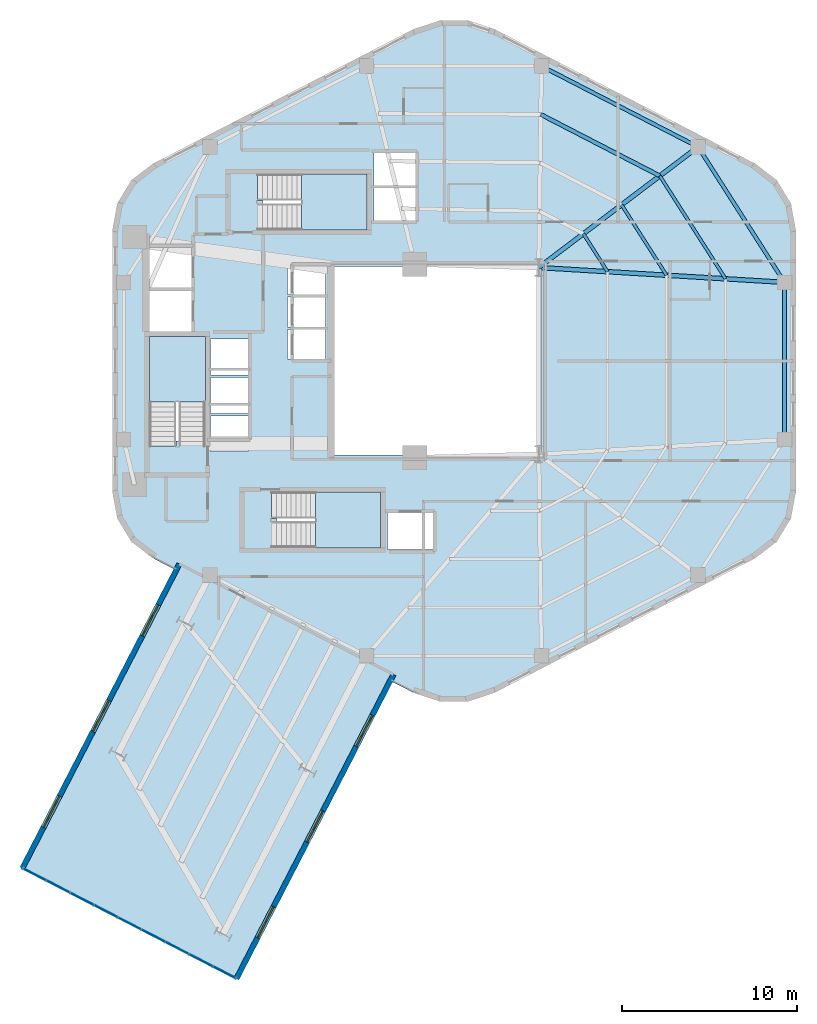
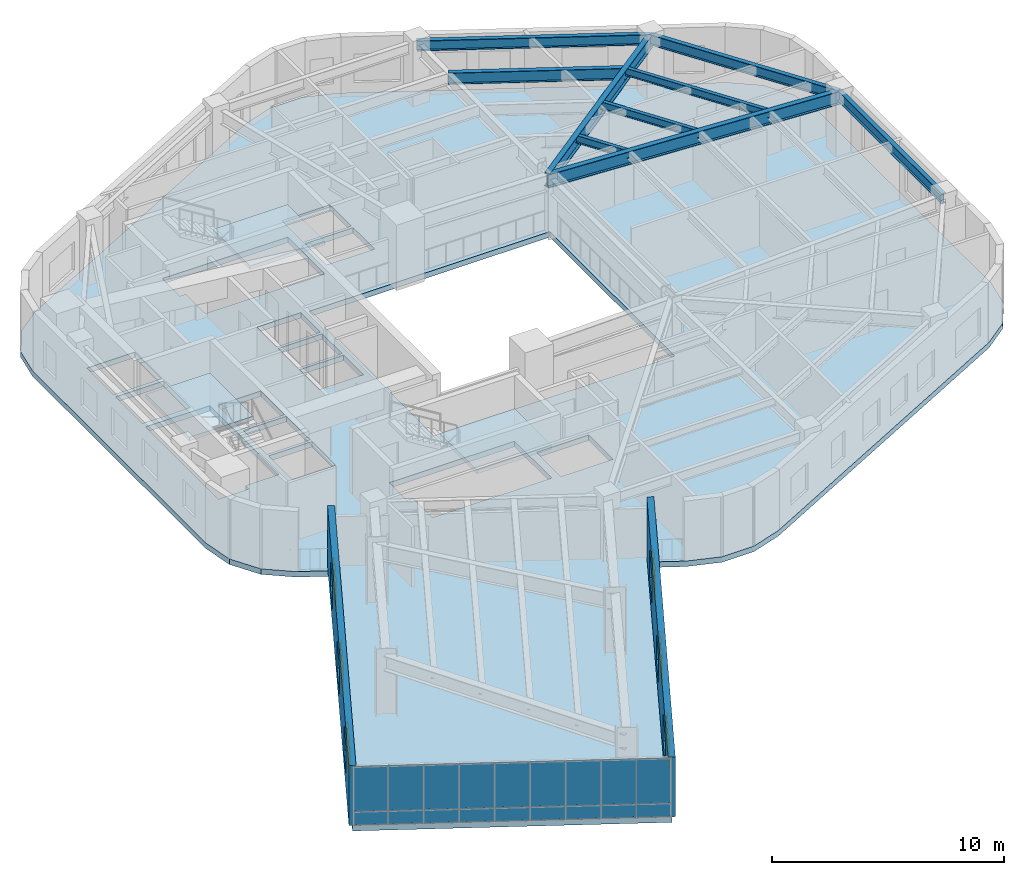
# One storey, part 4 of 9: 18 plates, 9 beams, 6 windows, 4 slabs, 2 walls, 6 openings, 4 elements without a shape of their own.
"""IFC4 building model written with IfcOpenShell, lengths in metres."""

from ifc_helpers import new_model, si_unit, direction, frame, frame_2d, origin, origin_2d, place, context, subcontext, project, spatial, polyline, rectangle, i_section, outline, extrude, material, layer, layer_set, material_profile, profile_set, type_object, element, fill, aggregate, save


model = new_model("IFC4")

# Units and contexts
model_context = context("Model", 3, precision=1e-05, world=origin(), true_north=direction((0.0, 1.0)))
body_context = subcontext(model_context, "Body", "Model", "MODEL_VIEW")
ifc_project = project(units=[si_unit("LENGTHUNIT", "METRE"), si_unit("AREAUNIT", "SQUARE_METRE"), si_unit("VOLUMEUNIT", "CUBIC_METRE"), si_unit("PLANEANGLEUNIT", "RADIAN"), si_unit("MASSUNIT", "GRAM", prefix="KILO"), si_unit("THERMODYNAMICTEMPERATUREUNIT", "KELVIN"), si_unit("POWERUNIT", "WATT")], contexts=[model_context])

# Site, building, storey
site_placement = place(None, origin())
site = spatial("IfcSite", under=ifc_project, at=site_placement, CompositionType="ELEMENT")
building_placement = place(site_placement, origin())
building = spatial("IfcBuilding", under=site, at=building_placement, Name="Skarre Station Tower", CompositionType="ELEMENT")
storey_placement = place(building_placement, frame((0.0, 0.0, 174.0)))
storey = spatial("IfcBuildingStorey", under=building, at=storey_placement, Name="L47", CompositionType="ELEMENT", Elevation=174.0)

# Beams
ifc_material_1 = material(Name="Steel ASTM A992 Grade 50", Category="steel")
ifc_material_profile_1 = material_profile(ifc_material_1, i_section(OverallWidth=0.256103515625, OverallDepth=0.693115234375, WebThickness=0.013916015625, FlangeThickness=0.02392578125, at=origin_2d()), Name="Steel ASTM A992 Grade 50")
ifc_profile_set_1 = profile_set([ifc_material_profile_1], Name="Steel ASTM A992 Grade 50")
beam_type_1 = type_object("IfcBeamType", Name="Steel Beam W27X114", PredefinedType="BEAM", material=ifc_profile_set_1)
beam_1_placement = place(storey_placement, frame((39.449951171875, 29.35009765625, 2.81396484375), z_axis=(0.797308988117, 0.603571352425, 0.0), x_axis=(-0.603571352425, 0.797308988117, 0.0)))
element("IfcBeam", 1, at=beam_1_placement, inside=storey, type_object=beam_type_1, Name="L47 Radial Floor Girder F0C1", PredefinedType="BEAM", context=body_context, shape_type="SweptSolid", body=[
    extrude(i_section(OverallWidth=0.256103515625, OverallDepth=0.693115234375, WebThickness=0.013916015625, FlangeThickness=0.02392578125, at=origin_2d()), origin(), (0.0, 0.0, 1.0), 11.443603515625),
])
beam_2_placement = place(storey_placement, frame((39.449951171875, 29.35009765625, 2.81396484375), z_axis=(0.998184432941, -0.060231535207, 0.0), x_axis=(0.060231535207, 0.998184432941, 0.0)))
element("IfcBeam", 2, at=beam_2_placement, inside=storey, type_object=beam_type_1, Name="L47 Radial Floor Girder F5C2", PredefinedType="BEAM", context=body_context, shape_type="SweptSolid", body=[
    extrude(i_section(OverallWidth=0.256103515625, OverallDepth=0.693115234375, WebThickness=0.013916015625, FlangeThickness=0.02392578125, at=origin_2d()), origin(), (0.0, 0.0, 1.0), 14.09765625),
])
ifc_material_profile_2 = material_profile(ifc_material_1, i_section(OverallWidth=0.177978515625, OverallDepth=0.403076171875, WebThickness=0.008056640625, FlangeThickness=0.010986328125, at=origin_2d()), Name="Steel ASTM A992 Grade 50")
ifc_profile_set_2 = profile_set([ifc_material_profile_2], Name="Steel ASTM A992 Grade 50")
beam_type_2 = type_object("IfcBeamType", Name="Steel Joist W16X36", PredefinedType="JOIST", material=ifc_profile_set_2)
beam_3_placement = place(storey_placement, frame((43.389892578125, 29.112060546875, 2.9580078125), z_axis=(-0.537678636248, 0.843149858639, 0.0), x_axis=(-0.843149858639, -0.537678636248, 0.0)))
element("IfcBeam", 3, at=beam_3_placement, inside=storey, type_object=beam_type_2, Name="L47 Auxiliary Composite Joist 22", PredefinedType="JOIST", context=body_context, shape_type="SweptSolid", body=[
    extrude(i_section(OverallWidth=0.177978515625, OverallDepth=0.403076171875, WebThickness=0.008056640625, FlangeThickness=0.010986328125, at=origin_2d()), origin(), (0.0, 0.0, 1.0), 2.575927734375),
])
beam_4_placement = place(storey_placement, frame((46.76708984375, 28.908935546875, 2.9580078125), z_axis=(-0.53785259263, 0.843038901001, 0.0), x_axis=(-0.843038901001, -0.53785259263, 0.0)))
element("IfcBeam", 4, at=beam_4_placement, inside=storey, type_object=beam_type_2, Name="L47 Auxiliary Composite Joist 23", PredefinedType="JOIST", context=body_context, shape_type="SweptSolid", body=[
    extrude(i_section(OverallWidth=0.177978515625, OverallDepth=0.403076171875, WebThickness=0.008056640625, FlangeThickness=0.010986328125, at=origin_2d()), origin(), (0.0, 0.0, 1.0), 4.783935546875),
])
beam_5_placement = place(storey_placement, frame((50.14501953125, 28.705078125, 2.9580078125), z_axis=(-0.537916675884, 0.842998012931, 0.0), x_axis=(-0.842998012931, -0.537916675884, 0.0)))
element("IfcBeam", 5, at=beam_5_placement, inside=storey, type_object=beam_type_2, Name="L47 Auxiliary Composite Joist 24", PredefinedType="JOIST", context=body_context, shape_type="SweptSolid", body=[
    extrude(i_section(OverallWidth=0.177978515625, OverallDepth=0.403076171875, WebThickness=0.008056640625, FlangeThickness=0.010986328125, at=origin_2d()), origin(), (0.0, 0.0, 1.0), 6.99169921875),
])
ifc_material_profile_3 = material_profile(ifc_material_1, i_section(OverallWidth=0.22802734375, OverallDepth=0.60791015625, WebThickness=0.010986328125, FlangeThickness=0.01708984375, at=origin_2d()), Name="Steel ASTM A992 Grade 50")
ifc_profile_set_3 = profile_set([ifc_material_profile_3], Name="Steel ASTM A992 Grade 50")
beam_type_3 = type_object("IfcBeamType", Name="Steel Joist W24X76", PredefinedType="JOIST", material=ifc_profile_set_3)
beam_6_placement = place(storey_placement, frame((46.384033203125, 34.59912109375, 2.85595703125), z_axis=(-0.888580913917, 0.458719913916, 0.0), x_axis=(-0.458719913916, -0.888580913917, 0.0)))
element("IfcBeam", 6, at=beam_6_placement, inside=storey, type_object=beam_type_3, Name="L47 Secondary Floor Joist 3", PredefinedType="JOIST", context=body_context, shape_type="SweptSolid", body=[
    extrude(i_section(OverallWidth=0.22802734375, OverallDepth=0.60791015625, WebThickness=0.010986328125, FlangeThickness=0.01708984375, at=origin_2d()), origin(), (0.0, 0.0, 1.0), 7.673095703125),
])
ifc_material_profile_4 = material_profile(ifc_material_1, i_section(OverallWidth=0.214111328125, OverallDepth=0.549072265625, WebThickness=0.014892578125, FlangeThickness=0.02392578125, at=origin_2d()), Name="Steel ASTM A992 Grade 50")
ifc_profile_set_4 = profile_set([ifc_material_profile_4], Name="Steel ASTM A992 Grade 50")
beam_type_4 = type_object("IfcBeamType", Name="Steel Spandrel W21X93", PredefinedType="SPANDREL", material=ifc_profile_set_4)
beam_7_placement = place(storey_placement, frame((48.573974609375, 36.257080078125, 2.885986328125), z_axis=(-0.888613027226, 0.458657702262, 0.0), x_axis=(-0.458657702262, -0.888613027226, 0.0)))
element("IfcBeam", 7, at=beam_7_placement, inside=storey, type_object=beam_type_4, Name="L47 Facet Spandrel Beam 1", PredefinedType="SPANDREL", context=body_context, shape_type="SweptSolid", body=[
    extrude(i_section(OverallWidth=0.214111328125, OverallDepth=0.549072265625, WebThickness=0.014892578125, FlangeThickness=0.02392578125, at=origin_2d()), origin(), (0.0, 0.0, 1.0), 10.096435546875),
])
beam_8_placement = place(storey_placement, frame((53.52197265625, 19.4990234375, 2.885986328125), z_axis=(0.0, 1.0, 0.0), x_axis=(-1.0, 0.0, 0.0)))
element("IfcBeam", 8, at=beam_8_placement, inside=storey, type_object=beam_type_4, Name="L47 Facet Spandrel Beam 11", PredefinedType="SPANDREL", context=body_context, shape_type="SweptSolid", body=[
    extrude(i_section(OverallWidth=0.214111328125, OverallDepth=0.549072265625, WebThickness=0.014892578125, FlangeThickness=0.02392578125, at=origin_2d()), origin(), (0.0, 0.0, 1.0), 9.001953125),
])
beam_9_placement = place(storey_placement, frame((53.52197265625, 28.5009765625, 2.885986328125), z_axis=(-0.537826426158, 0.843055594445, 0.0), x_axis=(-0.843055594445, -0.537826426158, 0.0)))
element("IfcBeam", 9, at=beam_9_placement, inside=storey, type_object=beam_type_4, Name="L47 Facet Spandrel Beam 12", PredefinedType="SPANDREL", context=body_context, shape_type="SweptSolid", body=[
    extrude(i_section(OverallWidth=0.214111328125, OverallDepth=0.549072265625, WebThickness=0.014892578125, FlangeThickness=0.02392578125, at=origin_2d()), origin(), (0.0, 0.0, 1.0), 9.199951171875),
])

# Curtain wall, plates
ifc_material_2 = material(Name="Thermally Broken Bronze-Anodized Aluminium & Triple Low-E Glass", Category="aluminium")
ifc_layer_1 = layer(ifc_material_2, 0.2099609375, Name="Thermally Broken Bronze-Anodized Aluminium & Triple Low-E Glass")
ifc_layer_set_1 = layer_set([ifc_layer_1], Name="Thermally Broken Bronze-Anodized Aluminium & Triple Low-E Glass")
curtain_wall_type = type_object("IfcCurtainWallType", Name="Sky-Bar Prow Structural Glazed Curtain Wall", PredefinedType="NOTDEFINED", material=ifc_layer_set_1)
curtain_wall_placement = place(storey_placement, origin())
curtain_wall = element("IfcCurtainWall", 10, at=curtain_wall_placement, inside=storey, type_object=curtain_wall_type, Name="L47 SB-4 Lakefront Prow Curtain Wall", PredefinedType="NOTDEFINED")
ifc_material_3 = material(Name="Insulated Bronze Anodized Aluminium Spandrel", Category="aluminium")
ifc_layer_2 = layer(ifc_material_3, 0.052001953125, Name="Insulated Bronze Anodized Aluminium Spandrel")
ifc_layer_set_2 = layer_set([ifc_layer_2], Name="Insulated Bronze Anodized Aluminium Spandrel")
plate_type_1 = type_object("IfcPlateType", Name="Bronze Insulated Spandrel Sheet Panel 52", PredefinedType="SHEET", material=ifc_layer_set_2)
plate_1_placement = place(storey_placement, frame((21.458984375, -11.02392578125, 0.052001953125), z_axis=(0.0, 0.0, 1.0), x_axis=(-0.888625237464, 0.458634045118, 0.0)))
plate_1 = element("IfcPlate", 11, at=plate_1_placement, type_object=plate_type_1, Name="L47 SB-4 Lakefront Prow Curtain Wall Spandrel Panel 1-1", PredefinedType="SHEET", context=body_context, shape_type="SweptSolid", body=[
    extrude(rectangle(XDim=1.509033203125, YDim=0.052001953125, at=origin_2d()), origin(), (0.0, 0.0, 1.0), 0.68603515625),
])
plate_2_placement = place(storey_placement, frame((20.095947265625, -10.321044921875, 0.052001953125), z_axis=(0.0, 0.0, 1.0), x_axis=(-0.888625237464, 0.458634045118, 0.0)))
plate_2 = element("IfcPlate", 12, at=plate_2_placement, type_object=plate_type_1, Name="L47 SB-4 Lakefront Prow Curtain Wall Spandrel Panel 2-1", PredefinedType="SHEET", context=body_context, shape_type="SweptSolid", body=[
    extrude(rectangle(XDim=1.509033203125, YDim=0.052001953125, at=origin_2d()), origin(), (0.0, 0.0, 1.0), 0.68603515625),
])
plate_3_placement = place(storey_placement, frame((18.73388671875, -9.617919921875, 0.052001953125), z_axis=(0.0, 0.0, 1.0), x_axis=(-0.888625237464, 0.458634045118, 0.0)))
plate_3 = element("IfcPlate", 13, at=plate_3_placement, type_object=plate_type_1, Name="L47 SB-4 Lakefront Prow Curtain Wall Spandrel Panel 3-1", PredefinedType="SHEET", context=body_context, shape_type="SweptSolid", body=[
    extrude(rectangle(XDim=1.509033203125, YDim=0.052001953125, at=origin_2d()), origin(), (0.0, 0.0, 1.0), 0.68603515625),
])
plate_4_placement = place(storey_placement, frame((17.37109375, -8.9150390625, 0.052001953125), z_axis=(0.0, 0.0, 1.0), x_axis=(-0.888625237464, 0.458634045118, 0.0)))
plate_4 = element("IfcPlate", 14, at=plate_4_placement, type_object=plate_type_1, Name="L47 SB-4 Lakefront Prow Curtain Wall Spandrel Panel 4-1", PredefinedType="SHEET", context=body_context, shape_type="SweptSolid", body=[
    extrude(rectangle(XDim=1.509033203125, YDim=0.052001953125, at=origin_2d()), origin(), (0.0, 0.0, 1.0), 0.68603515625),
])
plate_5_placement = place(storey_placement, frame((16.009033203125, -8.2119140625, 0.052001953125), z_axis=(0.0, 0.0, 1.0), x_axis=(-0.888625237464, 0.458634045118, 0.0)))
plate_5 = element("IfcPlate", 15, at=plate_5_placement, type_object=plate_type_1, Name="L47 SB-4 Lakefront Prow Curtain Wall Spandrel Panel 5-1", PredefinedType="SHEET", context=body_context, shape_type="SweptSolid", body=[
    extrude(rectangle(XDim=1.509033203125, YDim=0.052001953125, at=origin_2d()), origin(), (0.0, 0.0, 1.0), 0.68603515625),
])
plate_6_placement = place(storey_placement, frame((14.64599609375, -7.508056640625, 0.052001953125), z_axis=(0.0, 0.0, 1.0), x_axis=(-0.888625237464, 0.458634045118, 0.0)))
plate_6 = element("IfcPlate", 16, at=plate_6_placement, type_object=plate_type_1, Name="L47 SB-4 Lakefront Prow Curtain Wall Spandrel Panel 6-1", PredefinedType="SHEET", context=body_context, shape_type="SweptSolid", body=[
    extrude(rectangle(XDim=1.509033203125, YDim=0.052001953125, at=origin_2d()), origin(), (0.0, 0.0, 1.0), 0.68603515625),
])
plate_7_placement = place(storey_placement, frame((13.282958984375, -6.804931640625, 0.052001953125), z_axis=(0.0, 0.0, 1.0), x_axis=(-0.888625237464, 0.458634045118, 0.0)))
plate_7 = element("IfcPlate", 17, at=plate_7_placement, type_object=plate_type_1, Name="L47 SB-4 Lakefront Prow Curtain Wall Spandrel Panel 7-1", PredefinedType="SHEET", context=body_context, shape_type="SweptSolid", body=[
    extrude(rectangle(XDim=1.509033203125, YDim=0.052001953125, at=origin_2d()), origin(), (0.0, 0.0, 1.0), 0.68603515625),
])
plate_8_placement = place(storey_placement, frame((11.9208984375, -6.10205078125, 0.052001953125), z_axis=(0.0, 0.0, 1.0), x_axis=(-0.888625237464, 0.458634045118, 0.0)))
plate_8 = element("IfcPlate", 18, at=plate_8_placement, type_object=plate_type_1, Name="L47 SB-4 Lakefront Prow Curtain Wall Spandrel Panel 8-1", PredefinedType="SHEET", context=body_context, shape_type="SweptSolid", body=[
    extrude(rectangle(XDim=1.509033203125, YDim=0.052001953125, at=origin_2d()), origin(), (0.0, 0.0, 1.0), 0.68603515625),
])
plate_9_placement = place(storey_placement, frame((10.55810546875, -5.39892578125, 0.052001953125), z_axis=(0.0, 0.0, 1.0), x_axis=(-0.888625237464, 0.458634045118, 0.0)))
plate_9 = element("IfcPlate", 19, at=plate_9_placement, type_object=plate_type_1, Name="L47 SB-4 Lakefront Prow Curtain Wall Spandrel Panel 9-1", PredefinedType="SHEET", context=body_context, shape_type="SweptSolid", body=[
    extrude(rectangle(XDim=1.509033203125, YDim=0.052001953125, at=origin_2d()), origin(), (0.0, 0.0, 1.0), 0.68603515625),
])

# Stair, slab
ifc_material_4 = material(Name="Concrete C40/50", Category="concrete")
stair_type_1 = type_object("IfcStairType", Name="Reinforced Concrete Exit Stair ST-1", PredefinedType="HALF_TURN_STAIR", material=ifc_material_4)
stair_1_placement = place(storey_placement, origin())
stair_1 = element("IfcStair", 20, at=stair_1_placement, inside=storey, type_object=stair_type_1, Name="L47 Core Exit Stair ST-1", PredefinedType="HALF_TURN_STAIR")
ifc_layer_3 = layer(ifc_material_4, 0.219970703125, Name="Concrete C40/50")
ifc_layer_set_3 = layer_set([ifc_layer_3], Name="Concrete C40/50")
slab_type_1 = type_object("IfcSlabType", Name="Reinforced Concrete Stair & Ramp Landing 220", PredefinedType="LANDING", material=ifc_layer_set_3)
slab_1_placement = place(storey_placement, frame((0.0, 0.0, 1.52490234375)))
slab_1 = element("IfcSlab", 21, at=slab_1_placement, type_object=slab_type_1, Name="ST-1 landing 1", PredefinedType="LANDING", context=body_context, shape_type="SweptSolid", body=[
    extrude(outline(polyline([(20.35009765625, 21.639892578125), (20.35009765625, 25.39990234375), (17.14990234375, 25.39990234375), (17.14990234375, 21.639892578125), (20.35009765625, 21.639892578125)])), origin(), (0.0, 0.0, 1.0), 0.2001953125),
])
aggregate(stair_1, [slab_1])

stair_type_2 = type_object("IfcStairType", Name="Reinforced Concrete Exit Stair ST-2", PredefinedType="HALF_TURN_STAIR", material=ifc_material_4)
stair_2_placement = place(storey_placement, origin())
stair_2 = element("IfcStair", 22, at=stair_2_placement, inside=storey, type_object=stair_type_2, Name="L47 Core Exit Stair ST-2", PredefinedType="HALF_TURN_STAIR")
slab_2_placement = place(storey_placement, frame((0.0, 0.0, 1.52490234375)))
slab_2 = element("IfcSlab", 23, at=slab_2_placement, type_object=slab_type_1, Name="ST-2 landing 1", PredefinedType="LANDING", context=body_context, shape_type="SweptSolid", body=[
    extrude(outline(polyline([(26.669921875, 13.300048828125), (30.39990234375, 13.300048828125), (30.39990234375, 16.5), (26.669921875, 16.5), (26.669921875, 13.300048828125)])), origin(), (0.0, 0.0, 1.0), 0.2001953125),
])
aggregate(stair_2, [slab_2])

stair_type_3 = type_object("IfcStairType", Name="Reinforced Concrete Exit Stair ST-3", PredefinedType="HALF_TURN_STAIR", material=ifc_material_4)
stair_3_placement = place(storey_placement, origin())
stair_3 = element("IfcStair", 24, at=stair_3_placement, inside=storey, type_object=stair_type_3, Name="L47 Core Exit Stair ST-3", PredefinedType="HALF_TURN_STAIR")
slab_3_placement = place(storey_placement, frame((0.0, 0.0, 1.52490234375)))
slab_3 = element("IfcSlab", 25, at=slab_3_placement, type_object=slab_type_1, Name="ST-3 landing 1", PredefinedType="LANDING", context=body_context, shape_type="SweptSolid", body=[
    extrude(outline(polyline([(25.8701171875, 31.5), (29.60009765625, 31.5), (29.60009765625, 34.699951171875), (25.8701171875, 34.699951171875), (25.8701171875, 31.5)])), origin(), (0.0, 0.0, 1.0), 0.2001953125),
])
aggregate(stair_3, [slab_3])

# Slab
ifc_material_5 = material(Name="Concrete C50/60", Category="concrete")
ifc_layer_4 = layer(ifc_material_5, 0.2900390625, Name="Concrete C50/60")
ifc_layer_set_4 = layer_set([ifc_layer_4], Name="Concrete C50/60")
slab_type_2 = type_object("IfcSlabType", Name="Sky-Bar Composite Floor Slab 290", PredefinedType="FLOOR", material=ifc_layer_set_4)
slab_4_placement = place(storey_placement, frame((0.0, 0.0, -0.2900390625)))
element("IfcSlab", 26, at=slab_4_placement, inside=storey, type_object=slab_type_2, Name="L47 Tower and SB-4 Floor Slab", PredefinedType="FLOOR", context=body_context, shape_type="SweptSolid", body=[
    extrude(outline(polyline([(30.945068359375, 5.68505859375), (32.291015625, 4.990966796875), (33.803955078125, 4.493896484375), (35.39599609375, 4.493896484375), (36.908935546875, 4.990966796875), (51.863037109375, 12.708984375), (53.0869140625, 13.655029296875), (53.89208984375, 14.97705078125), (54.172119140625, 16.498046875), (54.172119140625, 31.501953125), (53.89208984375, 33.02294921875), (53.0869140625, 34.344970703125), (51.863037109375, 35.291015625), (36.908935546875, 43.009033203125), (35.39599609375, 43.506103515625), (33.803955078125, 43.506103515625), (32.291015625, 43.009033203125), (17.3369140625, 35.291015625), (16.113037109375, 34.344970703125), (15.30810546875, 33.02294921875), (15.028076171875, 31.501953125), (15.028076171875, 16.498046875), (15.30810546875, 14.97705078125), (16.113037109375, 13.655029296875), (17.3369140625, 12.708984375), (18.68310546875, 12.014892578125), (9.876953125, -5.047119140625), (22.139892578125, -11.3759765625), (30.945068359375, 5.68505859375)]), holes=[polyline([(18.669921875, 19.419921875), (18.669921875, 19.123046875), (17.14990234375, 19.123046875), (17.14990234375, 25.39990234375), (20.35009765625, 25.39990234375), (20.35009765625, 19.419921875), (18.669921875, 19.419921875)]), polyline([(24.449951171875, 14.97998046875), (24.153076171875, 14.97998046875), (24.153076171875, 16.5), (30.39990234375, 16.5), (30.39990234375, 13.300048828125), (24.449951171875, 13.300048828125), (24.449951171875, 14.97998046875)]), polyline([(23.64990234375, 33.179931640625), (23.35302734375, 33.179931640625), (23.35302734375, 34.699951171875), (29.60009765625, 34.699951171875), (29.60009765625, 31.5), (23.64990234375, 31.5), (23.64990234375, 33.179931640625)]), polyline([(17.14990234375, 28.0), (19.550048828125, 28.0), (19.550048828125, 25.699951171875), (17.14990234375, 25.699951171875), (17.14990234375, 28.0)]), polyline([(17.14990234375, 30.5), (19.550048828125, 30.5), (19.550048828125, 28.199951171875), (17.14990234375, 28.199951171875), (17.14990234375, 30.5)]), polyline([(30.800048828125, 15.300048828125), (33.39990234375, 15.300048828125), (33.39990234375, 13.199951171875), (30.800048828125, 13.199951171875), (30.800048828125, 15.300048828125)]), polyline([(25.050048828125, 25.800048828125), (27.25, 25.800048828125), (27.25, 24.10009765625), (25.050048828125, 24.10009765625), (25.050048828125, 25.800048828125)]), polyline([(25.050048828125, 27.64990234375), (27.25, 27.64990234375), (27.25, 25.949951171875), (25.050048828125, 25.949951171875), (25.050048828125, 27.64990234375)]), polyline([(25.050048828125, 29.5), (27.25, 29.5), (27.25, 27.800048828125), (25.050048828125, 27.800048828125), (25.050048828125, 29.5)]), polyline([(20.64990234375, 20.85009765625), (22.800048828125, 20.85009765625), (22.800048828125, 18.800048828125), (20.64990234375, 18.800048828125), (20.64990234375, 20.85009765625)]), polyline([(20.64990234375, 23.050048828125), (22.800048828125, 23.050048828125), (22.800048828125, 21.0), (20.64990234375, 21.0), (20.64990234375, 23.050048828125)]), polyline([(20.64990234375, 25.25), (22.800048828125, 25.25), (22.800048828125, 23.199951171875), (20.64990234375, 23.199951171875), (20.64990234375, 25.25)]), polyline([(30.0, 33.89990234375), (32.39990234375, 33.89990234375), (32.39990234375, 32.050048828125), (30.0, 32.050048828125), (30.0, 33.89990234375)]), polyline([(30.0, 35.89990234375), (32.39990234375, 35.89990234375), (32.39990234375, 34.050048828125), (30.0, 34.050048828125), (30.0, 35.89990234375)]), polyline([(27.60009765625, 29.39990234375), (39.60009765625, 29.39990234375), (39.60009765625, 18.60009765625), (27.60009765625, 18.60009765625), (27.60009765625, 29.39990234375)])]), origin(), (0.0, 0.0, 1.0), 0.2900390625),
])

# Plate
ifc_material_6 = material(Name="Low-Iron Triple Insulating Glass Unit", Category="glass")
ifc_layer_5 = layer(ifc_material_6, 0.0439453125, Name="Low-Iron Triple Insulating Glass Unit")
ifc_layer_set_5 = layer_set([ifc_layer_5], Name="Low-Iron Triple Insulating Glass Unit")
plate_type_2 = type_object("IfcPlateType", Name="Triple-Glazed Vision Curtain Panel 44", PredefinedType="CURTAIN_PANEL", material=ifc_layer_set_5)
plate_10_placement = place(storey_placement, frame((21.458984375, -11.02392578125, 0.76220703125), z_axis=(0.0, 0.0, 1.0), x_axis=(-0.888625237464, 0.458634045118, 0.0)))
plate_10 = element("IfcPlate", 27, at=plate_10_placement, type_object=plate_type_2, Name="L47 SB-4 Lakefront Prow Curtain Wall Vision Panel 1-2", PredefinedType="CURTAIN_PANEL", context=body_context, shape_type="SweptSolid", body=[
    extrude(rectangle(XDim=1.509033203125, YDim=0.0439453125, at=origin_2d()), origin(), (0.0, 0.0, 1.0), 2.345947265625),
])

plate_11_placement = place(storey_placement, frame((20.095947265625, -10.321044921875, 0.76220703125), z_axis=(0.0, 0.0, 1.0), x_axis=(-0.888625237464, 0.458634045118, 0.0)))
plate_11 = element("IfcPlate", 28, at=plate_11_placement, type_object=plate_type_2, Name="L47 SB-4 Lakefront Prow Curtain Wall Vision Panel 2-2", PredefinedType="CURTAIN_PANEL", context=body_context, shape_type="SweptSolid", body=[
    extrude(rectangle(XDim=1.509033203125, YDim=0.0439453125, at=origin_2d()), origin(), (0.0, 0.0, 1.0), 2.345947265625),
])

plate_12_placement = place(storey_placement, frame((18.73388671875, -9.617919921875, 0.76220703125), z_axis=(0.0, 0.0, 1.0), x_axis=(-0.888625237464, 0.458634045118, 0.0)))
plate_12 = element("IfcPlate", 29, at=plate_12_placement, type_object=plate_type_2, Name="L47 SB-4 Lakefront Prow Curtain Wall Vision Panel 3-2", PredefinedType="CURTAIN_PANEL", context=body_context, shape_type="SweptSolid", body=[
    extrude(rectangle(XDim=1.509033203125, YDim=0.0439453125, at=origin_2d()), origin(), (0.0, 0.0, 1.0), 2.345947265625),
])

plate_13_placement = place(storey_placement, frame((17.37109375, -8.9150390625, 0.76220703125), z_axis=(0.0, 0.0, 1.0), x_axis=(-0.888625237464, 0.458634045118, 0.0)))
plate_13 = element("IfcPlate", 30, at=plate_13_placement, type_object=plate_type_2, Name="L47 SB-4 Lakefront Prow Curtain Wall Vision Panel 4-2", PredefinedType="CURTAIN_PANEL", context=body_context, shape_type="SweptSolid", body=[
    extrude(rectangle(XDim=1.509033203125, YDim=0.0439453125, at=origin_2d()), origin(), (0.0, 0.0, 1.0), 2.345947265625),
])

plate_14_placement = place(storey_placement, frame((16.009033203125, -8.2119140625, 0.76220703125), z_axis=(0.0, 0.0, 1.0), x_axis=(-0.888625237464, 0.458634045118, 0.0)))
plate_14 = element("IfcPlate", 31, at=plate_14_placement, type_object=plate_type_2, Name="L47 SB-4 Lakefront Prow Curtain Wall Vision Panel 5-2", PredefinedType="CURTAIN_PANEL", context=body_context, shape_type="SweptSolid", body=[
    extrude(rectangle(XDim=1.509033203125, YDim=0.0439453125, at=origin_2d()), origin(), (0.0, 0.0, 1.0), 2.345947265625),
])

plate_15_placement = place(storey_placement, frame((14.64599609375, -7.508056640625, 0.76220703125), z_axis=(0.0, 0.0, 1.0), x_axis=(-0.888625237464, 0.458634045118, 0.0)))
plate_15 = element("IfcPlate", 32, at=plate_15_placement, type_object=plate_type_2, Name="L47 SB-4 Lakefront Prow Curtain Wall Vision Panel 6-2", PredefinedType="CURTAIN_PANEL", context=body_context, shape_type="SweptSolid", body=[
    extrude(rectangle(XDim=1.509033203125, YDim=0.0439453125, at=origin_2d()), origin(), (0.0, 0.0, 1.0), 2.345947265625),
])

plate_16_placement = place(storey_placement, frame((13.282958984375, -6.804931640625, 0.76220703125), z_axis=(0.0, 0.0, 1.0), x_axis=(-0.888625237464, 0.458634045118, 0.0)))
plate_16 = element("IfcPlate", 33, at=plate_16_placement, type_object=plate_type_2, Name="L47 SB-4 Lakefront Prow Curtain Wall Vision Panel 7-2", PredefinedType="CURTAIN_PANEL", context=body_context, shape_type="SweptSolid", body=[
    extrude(rectangle(XDim=1.509033203125, YDim=0.0439453125, at=origin_2d()), origin(), (0.0, 0.0, 1.0), 2.345947265625),
])

plate_17_placement = place(storey_placement, frame((11.9208984375, -6.10205078125, 0.76220703125), z_axis=(0.0, 0.0, 1.0), x_axis=(-0.888625237464, 0.458634045118, 0.0)))
plate_17 = element("IfcPlate", 34, at=plate_17_placement, type_object=plate_type_2, Name="L47 SB-4 Lakefront Prow Curtain Wall Vision Panel 8-2", PredefinedType="CURTAIN_PANEL", context=body_context, shape_type="SweptSolid", body=[
    extrude(rectangle(XDim=1.509033203125, YDim=0.0439453125, at=origin_2d()), origin(), (0.0, 0.0, 1.0), 2.345947265625),
])

plate_18_placement = place(storey_placement, frame((10.55810546875, -5.39892578125, 0.76220703125), z_axis=(0.0, 0.0, 1.0), x_axis=(-0.888625237464, 0.458634045118, 0.0)))
plate_18 = element("IfcPlate", 35, at=plate_18_placement, type_object=plate_type_2, Name="L47 SB-4 Lakefront Prow Curtain Wall Vision Panel 9-2", PredefinedType="CURTAIN_PANEL", context=body_context, shape_type="SweptSolid", body=[
    extrude(rectangle(XDim=1.509033203125, YDim=0.0439453125, at=origin_2d()), origin(), (0.0, 0.0, 1.0), 2.345947265625),
])

aggregate(curtain_wall, [plate_1, plate_10, plate_2, plate_11, plate_3, plate_12, plate_4, plate_13, plate_5, plate_14, plate_6, plate_15, plate_7, plate_16, plate_8, plate_17, plate_9, plate_18])

# Wall, openings, windows
ifc_material_7 = material(Name="Precast concrete C45/55", Category="concrete")
ifc_layer_6 = layer(ifc_material_7, 0.31005859375, Name="Precast concrete C45/55")
ifc_layer_set_6 = layer_set([ifc_layer_6], Name="Precast concrete C45/55")
wall_type = type_object("IfcWallType", Name="Nordic Upper-Zone Precast Facet Wall 310", PredefinedType="STANDARD", material=ifc_layer_set_6)
wall_1_placement = place(storey_placement, frame((9.876953125, -5.047119140625, 0.0), z_axis=(0.0, 0.0, 1.0), x_axis=(0.458621661341, 0.888631628825, 0.0)))
wall_1 = element("IfcWall", 36, at=wall_1_placement, inside=storey, type_object=wall_type, Name="L47 SB-4 Side 1 Precast Wall", PredefinedType="STANDARD", context=body_context, shape_type="SweptSolid", body=[
    extrude(rectangle(XDim=19.60009765625, YDim=0.31005859375, at=frame_2d((9.800048828125, 0.0))), origin(), (0.0, 0.0, 1.0), 3.159912109375),
])
opening_1_placement = place(wall_1_placement, frame((2.633056640625, 0.0, 0.75)))
opening_1 = element("IfcOpeningElement", 37, at=opening_1_placement, cuts=wall_1, Name="Opening WN-Z3A", PredefinedType="OPENING", context=body_context, shape_type="SweptSolid", body=[
    extrude(rectangle(XDim=2.0, YDim=1.5, at=frame_2d((1.0, 0.75))), frame((0.0, 0.1650390625, 0.0), z_axis=(0.0, -1.0, 0.0), x_axis=(1.0, 0.0, 0.0)), (0.0, 0.0, 1.0), 0.330078125),
])
opening_2_placement = place(wall_1_placement, frame((8.800048828125, 0.0, 0.75)))
opening_2 = element("IfcOpeningElement", 38, at=opening_2_placement, cuts=wall_1, Name="Opening WN-Z3A", PredefinedType="OPENING", context=body_context, shape_type="SweptSolid", body=[
    extrude(rectangle(XDim=2.0, YDim=1.5, at=frame_2d((1.0, 0.75))), frame((0.0, 0.1650390625, 0.0), z_axis=(0.0, -1.0, 0.0), x_axis=(1.0, 0.0, 0.0)), (0.0, 0.0, 1.0), 0.330078125),
])
opening_3_placement = place(wall_1_placement, frame((14.967041015625, 0.0, 0.75)))
opening_3 = element("IfcOpeningElement", 39, at=opening_3_placement, cuts=wall_1, Name="Opening WN-Z3A", PredefinedType="OPENING", context=body_context, shape_type="SweptSolid", body=[
    extrude(rectangle(XDim=2.0, YDim=1.5, at=frame_2d((1.0, 0.75))), frame((0.0, 0.1650390625, 0.0), z_axis=(0.0, -1.0, 0.0), x_axis=(1.0, 0.0, 0.0)), (0.0, 0.0, 1.0), 0.330078125),
])
ifc_material_8 = material(Name="Low-Iron Triple Glazing with Bronze Anodized Frame", Category="glass")
window_type = type_object("IfcWindowType", Name="Nordic Hospitality Window 2000x1500", PartitioningType="SINGLE_PANEL", PredefinedType="WINDOW", material=ifc_material_8)
window_1_placement = place(opening_1_placement, origin())
window_1 = element("IfcWindow", 40, at=window_1_placement, inside=storey, type_object=window_type, Name="L47 Facade Window WL-SB-4-L47-S1-1", OverallHeight=1.5, OverallWidth=2.0, PartitioningType="SINGLE_PANEL", PredefinedType="WINDOW", context=body_context, shape_type="SweptSolid", body=[
    extrude(rectangle(XDim=2.0, YDim=1.5, at=frame_2d((1.0, 0.75))), frame((0.0, 0.030029296875, 0.0), z_axis=(0.0, -1.0, 0.0), x_axis=(1.0, 0.0, 0.0)), (0.0, 0.0, 1.0), 0.06005859375),
])
fill(opening_1, window_1)
window_2_placement = place(opening_2_placement, origin())
window_2 = element("IfcWindow", 41, at=window_2_placement, inside=storey, type_object=window_type, Name="L47 Facade Window WL-SB-4-L47-S1-2", OverallHeight=1.5, OverallWidth=2.0, PartitioningType="SINGLE_PANEL", PredefinedType="WINDOW", context=body_context, shape_type="SweptSolid", body=[
    extrude(rectangle(XDim=2.0, YDim=1.5, at=frame_2d((1.0, 0.75))), frame((0.0, 0.030029296875, 0.0), z_axis=(0.0, -1.0, 0.0), x_axis=(1.0, 0.0, 0.0)), (0.0, 0.0, 1.0), 0.06005859375),
])
fill(opening_2, window_2)
window_3_placement = place(opening_3_placement, origin())
window_3 = element("IfcWindow", 42, at=window_3_placement, inside=storey, type_object=window_type, Name="L47 Facade Window WL-SB-4-L47-S1-3", OverallHeight=1.5, OverallWidth=2.0, PartitioningType="SINGLE_PANEL", PredefinedType="WINDOW", context=body_context, shape_type="SweptSolid", body=[
    extrude(rectangle(XDim=2.0, YDim=1.5, at=frame_2d((1.0, 0.75))), frame((0.0, 0.030029296875, 0.0), z_axis=(0.0, -1.0, 0.0), x_axis=(1.0, 0.0, 0.0)), (0.0, 0.0, 1.0), 0.06005859375),
])
fill(opening_3, window_3)

wall_2_placement = place(storey_placement, frame((31.12890625, 6.041015625, 0.0), z_axis=(0.0, 0.0, 1.0), x_axis=(-0.458626737826, -0.88862900884, 0.0)))
wall_2 = element("IfcWall", 43, at=wall_2_placement, inside=storey, type_object=wall_type, Name="L47 SB-4 Side 2 Precast Wall", PredefinedType="STANDARD", context=body_context, shape_type="SweptSolid", body=[
    extrude(rectangle(XDim=19.599853515625, YDim=0.31005859375, at=frame_2d((9.7998046875, 0.0))), origin(), (0.0, 0.0, 1.0), 3.159912109375),
])
opening_4_placement = place(wall_2_placement, frame((2.633056640625, 0.0, 0.75)))
opening_4 = element("IfcOpeningElement", 44, at=opening_4_placement, cuts=wall_2, Name="Opening WN-Z3A", PredefinedType="OPENING", context=body_context, shape_type="SweptSolid", body=[
    extrude(rectangle(XDim=2.0, YDim=1.5, at=frame_2d((1.0, 0.75))), frame((0.0, 0.1650390625, 0.0), z_axis=(0.0, -1.0, 0.0), x_axis=(1.0, 0.0, 0.0)), (0.0, 0.0, 1.0), 0.330078125),
])
opening_5_placement = place(wall_2_placement, frame((8.800048828125, 0.0, 0.75)))
opening_5 = element("IfcOpeningElement", 45, at=opening_5_placement, cuts=wall_2, Name="Opening WN-Z3A", PredefinedType="OPENING", context=body_context, shape_type="SweptSolid", body=[
    extrude(rectangle(XDim=2.0, YDim=1.5, at=frame_2d((1.0, 0.75))), frame((0.0, 0.1650390625, 0.0), z_axis=(0.0, -1.0, 0.0), x_axis=(1.0, 0.0, 0.0)), (0.0, 0.0, 1.0), 0.330078125),
])
opening_6_placement = place(wall_2_placement, frame((14.967041015625, 0.0, 0.75)))
opening_6 = element("IfcOpeningElement", 46, at=opening_6_placement, cuts=wall_2, Name="Opening WN-Z3A", PredefinedType="OPENING", context=body_context, shape_type="SweptSolid", body=[
    extrude(rectangle(XDim=2.0, YDim=1.5, at=frame_2d((1.0, 0.75))), frame((0.0, 0.1650390625, 0.0), z_axis=(0.0, -1.0, 0.0), x_axis=(1.0, 0.0, 0.0)), (0.0, 0.0, 1.0), 0.330078125),
])
window_4_placement = place(opening_4_placement, origin())
window_4 = element("IfcWindow", 47, at=window_4_placement, inside=storey, type_object=window_type, Name="L47 Facade Window WL-SB-4-L47-S2-1", OverallHeight=1.5, OverallWidth=2.0, PartitioningType="SINGLE_PANEL", PredefinedType="WINDOW", context=body_context, shape_type="SweptSolid", body=[
    extrude(rectangle(XDim=2.0, YDim=1.5, at=frame_2d((1.0, 0.75))), frame((0.0, 0.030029296875, 0.0), z_axis=(0.0, -1.0, 0.0), x_axis=(1.0, 0.0, 0.0)), (0.0, 0.0, 1.0), 0.06005859375),
])
fill(opening_4, window_4)
window_5_placement = place(opening_5_placement, origin())
window_5 = element("IfcWindow", 48, at=window_5_placement, inside=storey, type_object=window_type, Name="L47 Facade Window WL-SB-4-L47-S2-2", OverallHeight=1.5, OverallWidth=2.0, PartitioningType="SINGLE_PANEL", PredefinedType="WINDOW", context=body_context, shape_type="SweptSolid", body=[
    extrude(rectangle(XDim=2.0, YDim=1.5, at=frame_2d((1.0, 0.75))), frame((0.0, 0.030029296875, 0.0), z_axis=(0.0, -1.0, 0.0), x_axis=(1.0, 0.0, 0.0)), (0.0, 0.0, 1.0), 0.06005859375),
])
fill(opening_5, window_5)
window_6_placement = place(opening_6_placement, origin())
window_6 = element("IfcWindow", 49, at=window_6_placement, inside=storey, type_object=window_type, Name="L47 Facade Window WL-SB-4-L47-S2-3", OverallHeight=1.5, OverallWidth=2.0, PartitioningType="SINGLE_PANEL", PredefinedType="WINDOW", context=body_context, shape_type="SweptSolid", body=[
    extrude(rectangle(XDim=2.0, YDim=1.5, at=frame_2d((1.0, 0.75))), frame((0.0, 0.030029296875, 0.0), z_axis=(0.0, -1.0, 0.0), x_axis=(1.0, 0.0, 0.0)), (0.0, 0.0, 1.0), 0.06005859375),
])
fill(opening_6, window_6)

save(model, "model.ifc")
